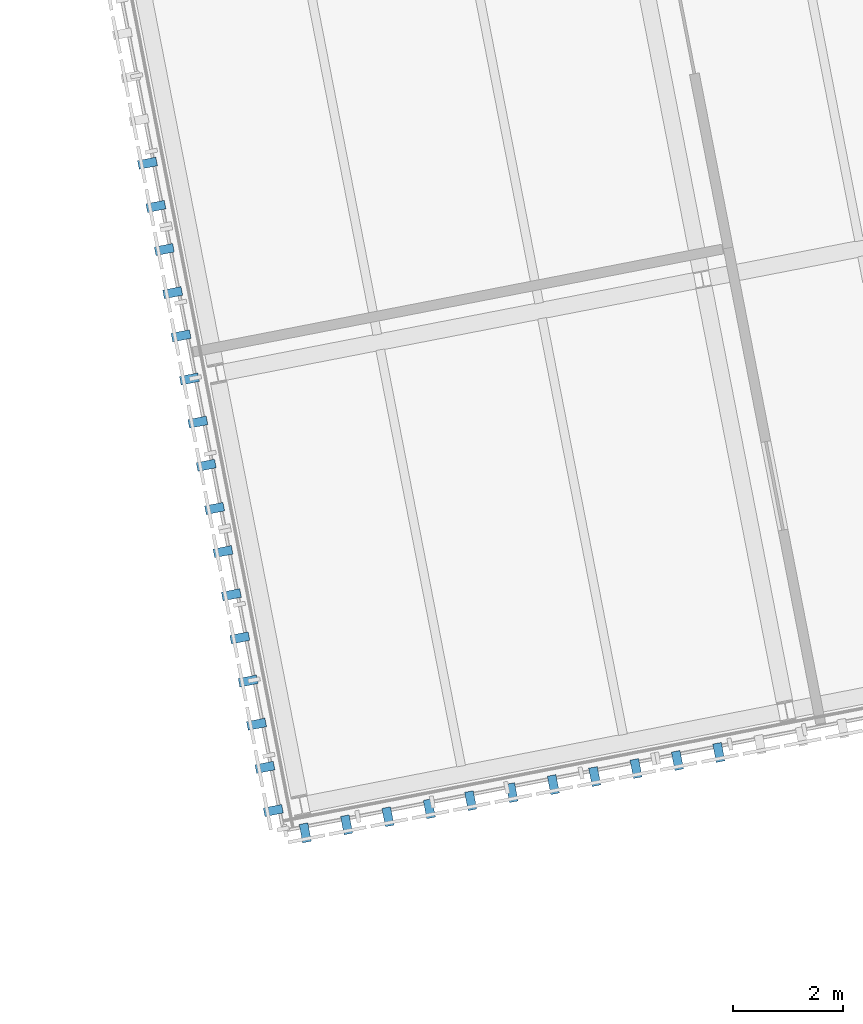
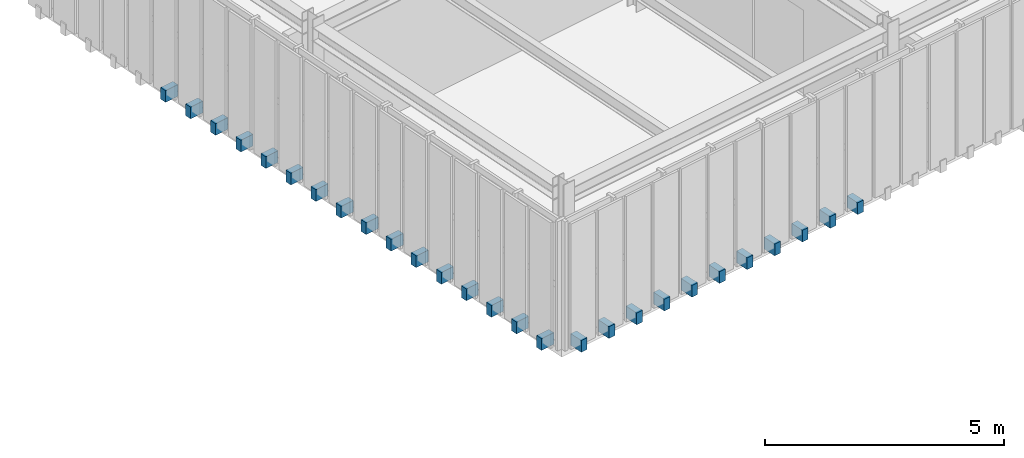
# One storey, part 33 of 44: 27 discrete accessories.
"""IFC4 building model written with IfcOpenShell, lengths in metres."""

from ifc_helpers import new_model, si_unit, direction, frame, origin, origin_2d, place, context, subcontext, project, spatial, rectangle, extrude, material, type_object, element, save


model = new_model("IFC4")

# Units and contexts
model_context = context("Model", 3, precision=1e-05, world=origin(), true_north=direction((0.0, 1.0)))
body_context = subcontext(model_context, "Body", "Model", "MODEL_VIEW")
ifc_project = project(units=[si_unit("LENGTHUNIT", "METRE"), si_unit("AREAUNIT", "SQUARE_METRE"), si_unit("VOLUMEUNIT", "CUBIC_METRE"), si_unit("PLANEANGLEUNIT", "RADIAN"), si_unit("MASSUNIT", "GRAM", prefix="KILO")], contexts=[model_context])

# Site, building, storey
site_placement = place(None, origin())
site = spatial("IfcSite", under=ifc_project, at=site_placement, CompositionType="ELEMENT")
building_placement = place(site_placement, origin())
building = spatial("IfcBuilding", under=site, at=building_placement, Name="Varnklinge Art Gallery", CompositionType="ELEMENT")
storey_placement = place(building_placement, frame((0.0, 0.0, 13.679931640625)))
storey = spatial("IfcBuildingStorey", under=building, at=storey_placement, Name="L03", CompositionType="ELEMENT", Elevation=13.679931640625)

# Discrete accessories
ifc_material = material(Name="Steel S355", Category="steel")
discrete_accessory_type = type_object("IfcDiscreteAccessoryType", Name="BRK-01", PredefinedType="BRACKET", material=ifc_material)
for number, where, z_axis, x_axis, name in (
    (1, (63.95361328125, 61.58642578125, -0.06982421875), (0.0, 0.0, 1.0), (0.981627183448, 0.190808995377, 0.0), "L03 Lattice Outrigger Bracket 1.1.1"),
    (2, (64.706298828125, 61.732666015625, -0.06982421875), (0.0, 0.0, 1.0), (0.981627183448, 0.190808995377, 0.0), "L03 Lattice Outrigger Bracket 1.1.2"),
    (3, (65.458740234375, 61.87890625, -0.06982421875), (0.0, 0.0, 1.0), (0.981627183448, 0.190808995377, 0.0), "L03 Lattice Outrigger Bracket 1.1.3"),
    (4, (66.211181640625, 62.025146484375, -0.06982421875), (0.0, 0.0, 1.0), (0.981627183448, 0.190808995377, 0.0), "L03 Lattice Outrigger Bracket 1.1.4"),
    (5, (66.9638671875, 62.17138671875, -0.06982421875), (0.0, 0.0, 1.0), (0.981627183448, 0.190808995377, 0.0), "L03 Lattice Outrigger Bracket 1.1.5"),
    (6, (67.716552734375, 62.31787109375, -0.06982421875), (0.0, 0.0, 1.0), (0.981627183448, 0.190808995377, 0.0), "L03 Lattice Outrigger Bracket 1.1.6"),
    (7, (68.468994140625, 62.464111328125, -0.06982421875), (0.0, 0.0, 1.0), (0.981627183448, 0.190808995377, 0.0), "L03 Lattice Outrigger Bracket 1.1.7"),
    (8, (69.2216796875, 62.6103515625, -0.06982421875), (0.0, 0.0, 1.0), (0.981627183448, 0.190808995377, 0.0), "L03 Lattice Outrigger Bracket 1.1.8"),
    (9, (69.97412109375, 62.756591796875, -0.06982421875), (0.0, 0.0, 1.0), (0.981627183448, 0.190808995377, 0.0), "L03 Lattice Outrigger Bracket 1.1.9"),
    (10, (70.726806640625, 62.90283203125, -0.06982421875), (0.0, 0.0, 1.0), (0.981627183448, 0.190808995377, 0.0), "L03 Lattice Outrigger Bracket 1.2.1"),
    (11, (71.4794921875, 63.04931640625, -0.06982421875), (0.0, 0.0, 1.0), (0.981627183448, 0.190808995377, 0.0), "L03 Lattice Outrigger Bracket 1.2.2"),
    (12, (61.082275390625, 73.7724609375, -0.06982421875), (0.0, 0.0, 1.0), (0.190808995377, -0.981627183448, 0.0), "L03 Lattice Outrigger Bracket 4.1.6"),
    (13, (61.23486328125, 72.987060546875, -0.06982421875), (0.0, 0.0, 1.0), (0.190808995377, -0.981627183448, 0.0), "L03 Lattice Outrigger Bracket 4.1.7"),
    (14, (61.3876953125, 72.201904296875, -0.06982421875), (0.0, 0.0, 1.0), (0.190808995377, -0.981627183448, 0.0), "L03 Lattice Outrigger Bracket 4.2.1"),
    (15, (61.540283203125, 71.41650390625, -0.06982421875), (0.0, 0.0, 1.0), (0.190808995377, -0.981627183448, 0.0), "L03 Lattice Outrigger Bracket 4.2.2"),
    (16, (61.69287109375, 70.631103515625, -0.06982421875), (0.0, 0.0, 1.0), (0.190808995377, -0.981627183448, 0.0), "L03 Lattice Outrigger Bracket 4.2.3"),
    (17, (61.845458984375, 69.845947265625, -0.06982421875), (0.0, 0.0, 1.0), (0.190808995377, -0.981627183448, 0.0), "L03 Lattice Outrigger Bracket 4.2.4"),
    (18, (61.998291015625, 69.060546875, -0.06982421875), (0.0, 0.0, 1.0), (0.190808995377, -0.981627183448, 0.0), "L03 Lattice Outrigger Bracket 4.2.5"),
    (19, (62.15087890625, 68.275390625, -0.06982421875), (0.0, 0.0, 1.0), (0.190808995377, -0.981627183448, 0.0), "L03 Lattice Outrigger Bracket 4.2.6"),
    (20, (62.303466796875, 67.489990234375, -0.06982421875), (0.0, 0.0, 1.0), (0.190808995377, -0.981627183448, 0.0), "L03 Lattice Outrigger Bracket 4.2.7"),
    (21, (62.4560546875, 66.70458984375, -0.06982421875), (0.0, 0.0, 1.0), (0.190808995377, -0.981627183448, 0.0), "L03 Lattice Outrigger Bracket 4.3.1"),
    (22, (62.60888671875, 65.91943359375, -0.06982421875), (0.0, 0.0, 1.0), (0.190808995377, -0.981627183448, 0.0), "L03 Lattice Outrigger Bracket 4.3.2"),
    (23, (62.761474609375, 65.134033203125, -0.06982421875), (0.0, 0.0, 1.0), (0.190808995377, -0.981627183448, 0.0), "L03 Lattice Outrigger Bracket 4.3.3"),
    (24, (62.9140625, 64.348876953125, -0.06982421875), (0.0, 0.0, 1.0), (0.190808995377, -0.981627183448, 0.0), "L03 Lattice Outrigger Bracket 4.3.4"),
    (25, (63.066650390625, 63.5634765625, -0.06982421875), (0.0, 0.0, 1.0), (0.190808995377, -0.981627183448, 0.0), "L03 Lattice Outrigger Bracket 4.3.5"),
    (26, (63.21923828125, 62.7783203125, -0.06982421875), (0.0, 0.0, 1.0), (0.190808995377, -0.981627183448, 0.0), "L03 Lattice Outrigger Bracket 4.3.6"),
    (27, (63.3720703125, 61.992919921875, -0.06982421875), (0.0, 0.0, 1.0), (0.190808995377, -0.981627183448, 0.0), "L03 Lattice Outrigger Bracket 4.3.7"),
):
    element("IfcDiscreteAccessory", number, at=place(storey_placement, frame(where, z_axis=z_axis, x_axis=x_axis)), inside=storey, type_object=discrete_accessory_type, Name=name, PredefinedType="BRACKET", context=body_context, shape_type="SweptSolid", body=[
        extrude(rectangle(XDim=0.159912109375, YDim=0.340087890625, at=origin_2d()), origin(), (0.0, 0.0, 1.0), 0.300048828125),
    ])

save(model, "model.ifc")
